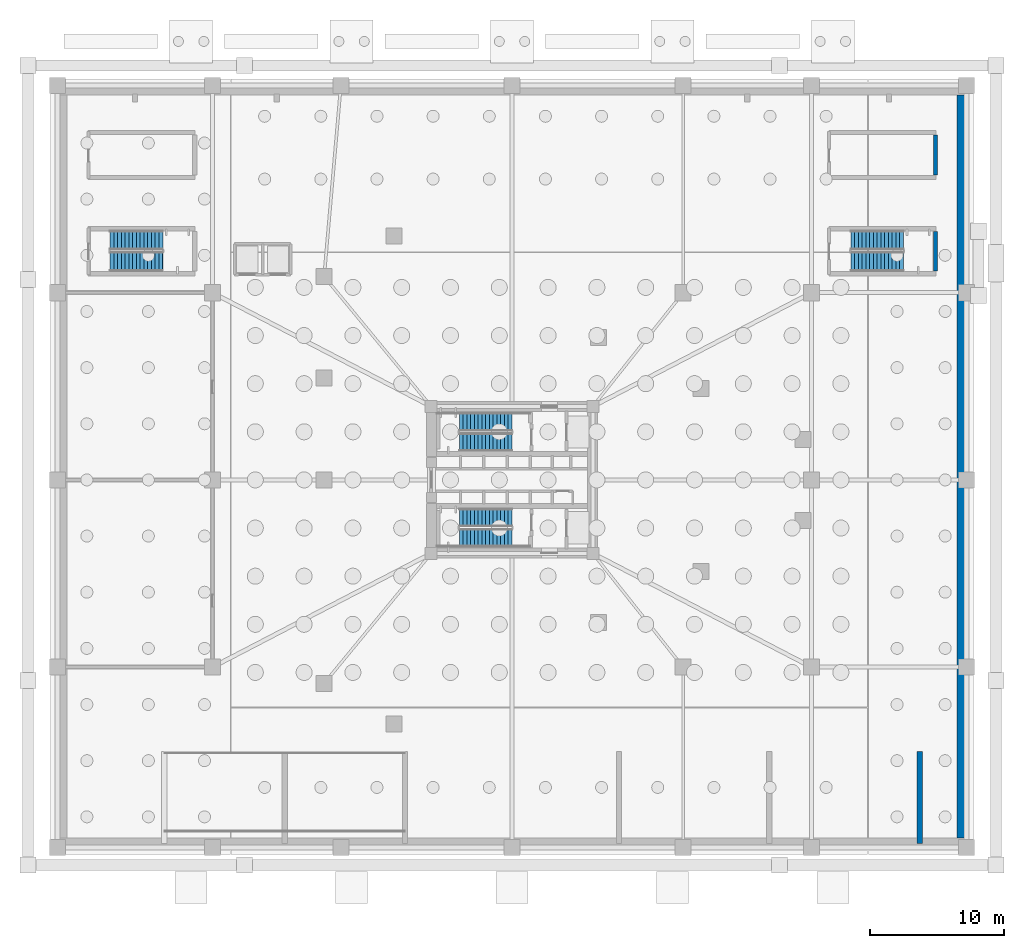
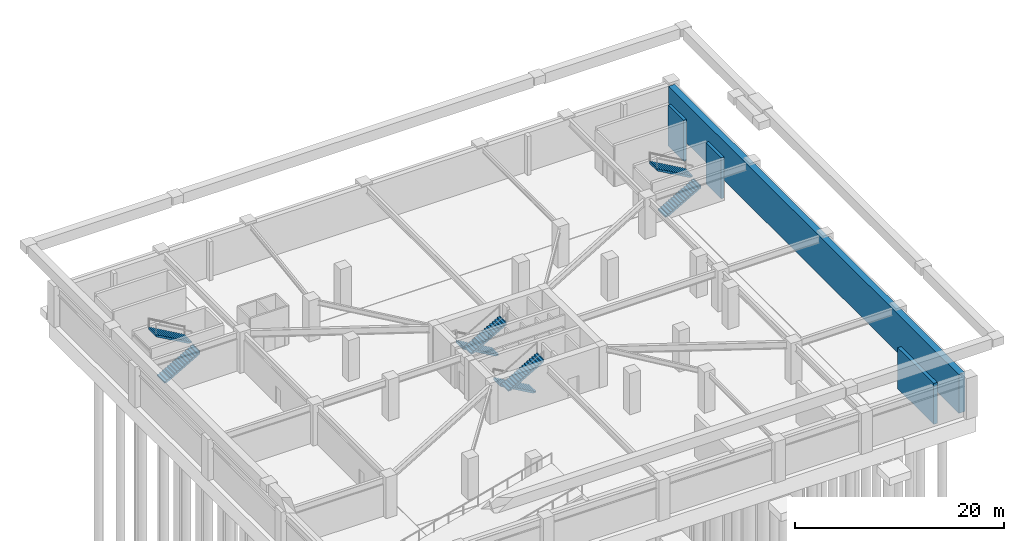
# One storey, part 8 of 14: 8 stair flights, 4 walls, 4 elements without a shape of their own.
"""IFC4 building model written with IfcOpenShell, lengths in metres."""

from ifc_helpers import new_model, si_unit, direction, frame, frame_2d, origin, place, context, subcontext, project, spatial, polyline, rectangle, outline, extrude, material, layer, layer_set, type_object, element, aggregate, save


model = new_model("IFC4")

# Units and contexts
model_context = context("Model", 3, precision=1e-05, world=origin(), true_north=direction((0.0, 1.0)))
body_context = subcontext(model_context, "Body", "Model", "MODEL_VIEW")
ifc_project = project(units=[si_unit("LENGTHUNIT", "METRE"), si_unit("AREAUNIT", "SQUARE_METRE"), si_unit("VOLUMEUNIT", "CUBIC_METRE"), si_unit("PLANEANGLEUNIT", "RADIAN"), si_unit("MASSUNIT", "GRAM", prefix="KILO")], contexts=[model_context])

# Site, building, storey
site_placement = place(None, origin())
site = spatial("IfcSite", under=ifc_project, at=site_placement, CompositionType="ELEMENT")
building_placement = place(site_placement, origin())
building = spatial("IfcBuilding", under=site, at=building_placement, Name="Yunling Apex Tower", CompositionType="ELEMENT")
storey_placement = place(building_placement, frame((0.0, 0.0, -9.60009765625)))
storey = spatial("IfcBuildingStorey", under=building, at=storey_placement, Name="B02", CompositionType="ELEMENT", Elevation=-9.60009765625)

# Walls
ifc_material_1 = material(Name="Concrete C50", Category="concrete")
ifc_layer_1 = layer(ifc_material_1, 0.699951171875)
ifc_layer_set_1 = layer_set([ifc_layer_1], Name="Concrete C50")
wall_type_1 = type_object("IfcWallType", Name="WL-BSM-1", PredefinedType="USERDEFINED", material=ifc_layer_set_1)
wall_1_placement = place(storey_placement, frame((33.64990234375, -26.800048828125, 0.0), z_axis=(0.0, 0.0, 1.0), x_axis=(0.0, 1.0, 0.0)))
element("IfcWall", 1, at=wall_1_placement, inside=storey, type_object=wall_type_1, Name="B02 East Retaining Wall", ObjectType="RETAININGWALL", PredefinedType="USERDEFINED", context=body_context, shape_type="SweptSolid", body=[
    extrude(rectangle(XDim=55.60009765625, YDim=0.699951171875, at=frame_2d((27.800048828125, 0.0))), origin(), (0.0, 0.0, 1.0), 4.5400390625),
])
ifc_layer_2 = layer(ifc_material_1, 0.39990234375)
ifc_layer_set_2 = layer_set([ifc_layer_2], Name="Concrete C50")
wall_type_2 = type_object("IfcWallType", Name="WL-COR-5", PredefinedType="SHEAR", material=ifc_layer_set_2)
wall_2_placement = place(storey_placement, frame((30.5, -27.199951171875, 0.0), z_axis=(0.0, 0.0, 1.0), x_axis=(0.0, 1.0, 0.0)))
element("IfcWall", 2, at=wall_2_placement, inside=storey, type_object=wall_type_2, Name="B02 Vehicle Ramp Bearing Wall EHI", PredefinedType="SHEAR", context=body_context, shape_type="SweptSolid", body=[
    extrude(rectangle(XDim=6.89990234375, YDim=0.39990234375, at=frame_2d((3.449951171875, 0.0))), origin(), (0.0, 0.0, 1.0), 4.800048828125),
])
ifc_material_2 = material(Name="Concrete C40", Category="concrete")
ifc_layer_3 = layer(ifc_material_2, 0.320068359375)
ifc_layer_set_3 = layer_set([ifc_layer_3], Name="Concrete C40")
wall_type_3 = type_object("IfcWallType", Name="WL-COR-7", PredefinedType="SHEAR", material=ifc_layer_set_3)
for number, where, z_axis, x_axis, name in (
    (3, (31.679931640625, 15.6201171875, 0.0), (0.0, 0.0, 1.0), (0.0, 1.0, 0.0), "B02 STP2 Half-Landing Bearing Wall"),
    (4, (31.679931640625, 22.820068359375, 0.0), (0.0, 0.0, 1.0), (0.0, 1.0, 0.0), "B02 STG2 Half-Landing Bearing Wall"),
):
    element("IfcWall", number, at=place(storey_placement, frame(where, z_axis=z_axis, x_axis=x_axis)), inside=storey, type_object=wall_type_3, Name=name, PredefinedType="SHEAR", context=body_context, shape_type="SweptSolid", body=[
        extrude(rectangle(XDim=2.9599609375, YDim=0.320068359375, at=frame_2d((1.47998046875, 0.0))), origin(), (0.0, 0.0, 1.0), 4.800048828125),
    ])

# Stair, stair flights
stair_type_1 = type_object("IfcStairType", Name="ST-POD-1", PredefinedType="HALF_TURN_STAIR", material=ifc_material_2)
stair_1_placement = place(storey_placement, origin())
stair_1 = element("IfcStair", 5, at=stair_1_placement, inside=storey, type_object=stair_type_1, Name="B02 West Podium Smokeproof Stair ST-P1", PredefinedType="HALF_TURN_STAIR")
stair_flight_type_1 = type_object("IfcStairFlightType", Name="SFL-POD-1", PredefinedType="STRAIGHT", material=ifc_material_2)
stair_flight_1_placement = place(storey_placement, frame((-30.050048828125, 16.324951171875, 0.0), z_axis=(0.0, 0.0, 1.0), x_axis=(1.0, 0.0, 0.0)))
stair_flight_1 = element("IfcStairFlight", 6, at=stair_flight_1_placement, type_object=stair_flight_type_1, Name="ST-P1 flight 1", NumberOfRisers=15, NumberOfTreads=14, PredefinedType="STRAIGHT", RiserHeight=0.16, TreadLength=0.28, context=body_context, shape_type="SweptSolid", body=[
    extrude(outline(polyline([(-0.011962890625, 0.0), (-0.011962890625, 0.159912109375), (0.0, 0.159912109375), (0.280029296875, 0.159912109375), (0.280029296875, 0.320068359375), (0.56005859375, 0.320068359375), (0.56005859375, 0.47998046875), (0.840087890625, 0.47998046875), (0.840087890625, 0.639892578125), (1.1201171875, 0.639892578125), (1.1201171875, 0.800048828125), (1.39990234375, 0.800048828125), (1.39990234375, 0.9599609375), (1.679931640625, 0.9599609375), (1.679931640625, 1.1201171875), (1.9599609375, 1.1201171875), (1.9599609375, 1.280029296875), (2.239990234375, 1.280029296875), (2.239990234375, 1.43994140625), (2.52001953125, 1.43994140625), (2.52001953125, 1.60009765625), (2.800048828125, 1.60009765625), (2.800048828125, 1.760009765625), (3.080078125, 1.760009765625), (3.080078125, 1.919921875), (3.360107421875, 1.919921875), (3.360107421875, 2.080078125), (3.639892578125, 2.080078125), (3.639892578125, 2.239990234375), (3.919921875, 2.239990234375), (3.919921875, 2.39990234375), (3.931884765625, 2.39990234375), (3.931884765625, 2.055908203125), (0.322265625, 0.0), (-0.011962890625, 0.0)])), frame((0.0, 0.72509765625, 0.0), z_axis=(0.0, -1.0, 0.0), x_axis=(1.0, 0.0, 0.0)), (0.0, 0.0, 1.0), 1.449951171875),
])
stair_flight_2_placement = place(storey_placement, frame((-26.1298828125, 17.925048828125, 2.400146484375), z_axis=(0.0, 0.0, 1.0), x_axis=(-1.0, 0.0, 0.0)))
stair_flight_2 = element("IfcStairFlight", 7, at=stair_flight_2_placement, type_object=stair_flight_type_1, Name="ST-P1 flight 2", NumberOfRisers=15, NumberOfTreads=14, PredefinedType="STRAIGHT", RiserHeight=0.16, TreadLength=0.28, context=body_context, shape_type="SweptSolid", body=[
    extrude(outline(polyline([(-0.011962890625, 0.0), (-0.011962890625, 0.159912109375), (0.0, 0.159912109375), (0.280029296875, 0.159912109375), (0.280029296875, 0.320068359375), (0.56005859375, 0.320068359375), (0.56005859375, 0.47998046875), (0.840087890625, 0.47998046875), (0.840087890625, 0.639892578125), (1.1201171875, 0.639892578125), (1.1201171875, 0.800048828125), (1.39990234375, 0.800048828125), (1.39990234375, 0.9599609375), (1.679931640625, 0.9599609375), (1.679931640625, 1.1201171875), (1.9599609375, 1.1201171875), (1.9599609375, 1.280029296875), (2.239990234375, 1.280029296875), (2.239990234375, 1.43994140625), (2.52001953125, 1.43994140625), (2.52001953125, 1.60009765625), (2.800048828125, 1.60009765625), (2.800048828125, 1.760009765625), (3.080078125, 1.760009765625), (3.080078125, 1.919921875), (3.360107421875, 1.919921875), (3.360107421875, 2.080078125), (3.639892578125, 2.080078125), (3.639892578125, 2.239990234375), (3.919921875, 2.239990234375), (3.919921875, 2.39990234375), (3.931884765625, 2.39990234375), (3.931884765625, 2.055908203125), (0.322265625, 0.0), (-0.011962890625, 0.0)])), frame((0.0, 0.72509765625, 0.0), z_axis=(0.0, -1.0, 0.0), x_axis=(1.0, 0.0, 0.0)), (0.0, 0.0, 1.0), 1.449951171875),
])
aggregate(stair_1, [stair_flight_1, stair_flight_2])

stair_2_placement = place(storey_placement, origin())
stair_2 = element("IfcStair", 8, at=stair_2_placement, inside=storey, type_object=stair_type_1, Name="B02 East Podium Smokeproof Stair ST-P2", PredefinedType="HALF_TURN_STAIR")
stair_flight_3_placement = place(storey_placement, frame((25.35009765625, 16.324951171875, 0.0), z_axis=(0.0, 0.0, 1.0), x_axis=(1.0, 0.0, 0.0)))
stair_flight_3 = element("IfcStairFlight", 9, at=stair_flight_3_placement, type_object=stair_flight_type_1, Name="ST-P2 flight 1", NumberOfRisers=15, NumberOfTreads=14, PredefinedType="STRAIGHT", RiserHeight=0.16, TreadLength=0.28, context=body_context, shape_type="SweptSolid", body=[
    extrude(outline(polyline([(-0.011962890625, 0.0), (-0.011962890625, 0.159912109375), (0.0, 0.159912109375), (0.280029296875, 0.159912109375), (0.280029296875, 0.320068359375), (0.56005859375, 0.320068359375), (0.56005859375, 0.47998046875), (0.840087890625, 0.47998046875), (0.840087890625, 0.639892578125), (1.1201171875, 0.639892578125), (1.1201171875, 0.800048828125), (1.39990234375, 0.800048828125), (1.39990234375, 0.9599609375), (1.679931640625, 0.9599609375), (1.679931640625, 1.1201171875), (1.9599609375, 1.1201171875), (1.9599609375, 1.280029296875), (2.239990234375, 1.280029296875), (2.239990234375, 1.43994140625), (2.52001953125, 1.43994140625), (2.52001953125, 1.60009765625), (2.800048828125, 1.60009765625), (2.800048828125, 1.760009765625), (3.080078125, 1.760009765625), (3.080078125, 1.919921875), (3.360107421875, 1.919921875), (3.360107421875, 2.080078125), (3.639892578125, 2.080078125), (3.639892578125, 2.239990234375), (3.919921875, 2.239990234375), (3.919921875, 2.39990234375), (3.931884765625, 2.39990234375), (3.931884765625, 2.055908203125), (0.322265625, 0.0), (-0.011962890625, 0.0)])), frame((0.0, 0.72509765625, 0.0), z_axis=(0.0, -1.0, 0.0), x_axis=(1.0, 0.0, 0.0)), (0.0, 0.0, 1.0), 1.449951171875),
])
stair_flight_4_placement = place(storey_placement, frame((29.27001953125, 17.925048828125, 2.400146484375), z_axis=(0.0, 0.0, 1.0), x_axis=(-1.0, 0.0, 0.0)))
stair_flight_4 = element("IfcStairFlight", 10, at=stair_flight_4_placement, type_object=stair_flight_type_1, Name="ST-P2 flight 2", NumberOfRisers=15, NumberOfTreads=14, PredefinedType="STRAIGHT", RiserHeight=0.16, TreadLength=0.28, context=body_context, shape_type="SweptSolid", body=[
    extrude(outline(polyline([(-0.011962890625, 0.0), (-0.011962890625, 0.159912109375), (0.0, 0.159912109375), (0.280029296875, 0.159912109375), (0.280029296875, 0.320068359375), (0.56005859375, 0.320068359375), (0.56005859375, 0.47998046875), (0.840087890625, 0.47998046875), (0.840087890625, 0.639892578125), (1.1201171875, 0.639892578125), (1.1201171875, 0.800048828125), (1.39990234375, 0.800048828125), (1.39990234375, 0.9599609375), (1.679931640625, 0.9599609375), (1.679931640625, 1.1201171875), (1.9599609375, 1.1201171875), (1.9599609375, 1.280029296875), (2.239990234375, 1.280029296875), (2.239990234375, 1.43994140625), (2.52001953125, 1.43994140625), (2.52001953125, 1.60009765625), (2.800048828125, 1.60009765625), (2.800048828125, 1.760009765625), (3.080078125, 1.760009765625), (3.080078125, 1.919921875), (3.360107421875, 1.919921875), (3.360107421875, 2.080078125), (3.639892578125, 2.080078125), (3.639892578125, 2.239990234375), (3.919921875, 2.239990234375), (3.919921875, 2.39990234375), (3.931884765625, 2.39990234375), (3.931884765625, 2.055908203125), (0.322265625, 0.0), (-0.011962890625, 0.0)])), frame((0.0, 0.72509765625, 0.0), z_axis=(0.0, -1.0, 0.0), x_axis=(1.0, 0.0, 0.0)), (0.0, 0.0, 1.0), 1.449951171875),
])
aggregate(stair_2, [stair_flight_3, stair_flight_4])

stair_type_2 = type_object("IfcStairType", Name="ST-TWR-1", PredefinedType="HALF_TURN_STAIR", material=ifc_material_2)
stair_3_placement = place(storey_placement, origin())
stair_3 = element("IfcStair", 11, at=stair_3_placement, inside=storey, type_object=stair_type_2, Name="B02 North Core Smokeproof Exit Stair ST-1", PredefinedType="HALF_TURN_STAIR")
stair_flight_type_2 = type_object("IfcStairFlightType", Name="SFL-TWR-1", PredefinedType="STRAIGHT", material=ifc_material_2)
stair_flight_5_placement = place(storey_placement, frame((-0.010009765625, 4.330078125, 0.0), z_axis=(0.0, 0.0, 1.0), x_axis=(-1.0, 0.0, 0.0)))
stair_flight_5 = element("IfcStairFlight", 12, at=stair_flight_5_placement, type_object=stair_flight_type_2, Name="ST-1 flight 1", NumberOfRisers=15, NumberOfTreads=14, PredefinedType="STRAIGHT", RiserHeight=0.16, TreadLength=0.28, context=body_context, shape_type="SweptSolid", body=[
    extrude(outline(polyline([(-0.011962890625, 0.0), (-0.011962890625, 0.159912109375), (0.0, 0.159912109375), (0.280029296875, 0.159912109375), (0.280029296875, 0.320068359375), (0.56005859375, 0.320068359375), (0.56005859375, 0.47998046875), (0.840087890625, 0.47998046875), (0.840087890625, 0.639892578125), (1.1201171875, 0.639892578125), (1.1201171875, 0.800048828125), (1.39990234375, 0.800048828125), (1.39990234375, 0.9599609375), (1.679931640625, 0.9599609375), (1.679931640625, 1.1201171875), (1.9599609375, 1.1201171875), (1.9599609375, 1.280029296875), (2.239990234375, 1.280029296875), (2.239990234375, 1.43994140625), (2.52001953125, 1.43994140625), (2.52001953125, 1.60009765625), (2.800048828125, 1.60009765625), (2.800048828125, 1.760009765625), (3.080078125, 1.760009765625), (3.080078125, 1.919921875), (3.360107421875, 1.919921875), (3.360107421875, 2.080078125), (3.639892578125, 2.080078125), (3.639892578125, 2.239990234375), (3.919921875, 2.239990234375), (3.919921875, 2.39990234375), (3.931884765625, 2.39990234375), (3.931884765625, 2.055908203125), (0.322265625, 0.0), (-0.011962890625, 0.0)])), frame((0.0, 0.68017578125, 0.0), z_axis=(0.0, -1.0, 0.0), x_axis=(1.0, 0.0, 0.0)), (0.0, 0.0, 1.0), 1.360107421875),
])
stair_flight_6_placement = place(storey_placement, frame((-3.929931640625, 2.820068359375, 2.400146484375), z_axis=(0.0, 0.0, 1.0), x_axis=(1.0, 0.0, 0.0)))
stair_flight_6 = element("IfcStairFlight", 13, at=stair_flight_6_placement, type_object=stair_flight_type_2, Name="ST-1 flight 2", NumberOfRisers=15, NumberOfTreads=14, PredefinedType="STRAIGHT", RiserHeight=0.16, TreadLength=0.28, context=body_context, shape_type="SweptSolid", body=[
    extrude(outline(polyline([(-0.011962890625, 0.0), (-0.011962890625, 0.159912109375), (0.0, 0.159912109375), (0.280029296875, 0.159912109375), (0.280029296875, 0.320068359375), (0.56005859375, 0.320068359375), (0.56005859375, 0.47998046875), (0.840087890625, 0.47998046875), (0.840087890625, 0.639892578125), (1.1201171875, 0.639892578125), (1.1201171875, 0.800048828125), (1.39990234375, 0.800048828125), (1.39990234375, 0.9599609375), (1.679931640625, 0.9599609375), (1.679931640625, 1.1201171875), (1.9599609375, 1.1201171875), (1.9599609375, 1.280029296875), (2.239990234375, 1.280029296875), (2.239990234375, 1.43994140625), (2.52001953125, 1.43994140625), (2.52001953125, 1.60009765625), (2.800048828125, 1.60009765625), (2.800048828125, 1.760009765625), (3.080078125, 1.760009765625), (3.080078125, 1.919921875), (3.360107421875, 1.919921875), (3.360107421875, 2.080078125), (3.639892578125, 2.080078125), (3.639892578125, 2.239990234375), (3.919921875, 2.239990234375), (3.919921875, 2.39990234375), (3.931884765625, 2.39990234375), (3.931884765625, 2.055908203125), (0.322265625, 0.0), (-0.011962890625, 0.0)])), frame((0.0, 0.68017578125, 0.0), z_axis=(0.0, -1.0, 0.0), x_axis=(1.0, 0.0, 0.0)), (0.0, 0.0, 1.0), 1.360107421875),
])
aggregate(stair_3, [stair_flight_5, stair_flight_6])

stair_4_placement = place(storey_placement, origin())
stair_4 = element("IfcStair", 14, at=stair_4_placement, inside=storey, type_object=stair_type_2, Name="B02 South Core Smokeproof Exit Stair ST-2", PredefinedType="HALF_TURN_STAIR")
stair_flight_7_placement = place(storey_placement, frame((-0.010009765625, -2.820068359375, 0.0), z_axis=(0.0, 0.0, 1.0), x_axis=(-1.0, 0.0, 0.0)))
stair_flight_7 = element("IfcStairFlight", 15, at=stair_flight_7_placement, type_object=stair_flight_type_2, Name="ST-2 flight 1", NumberOfRisers=15, NumberOfTreads=14, PredefinedType="STRAIGHT", RiserHeight=0.16, TreadLength=0.28, context=body_context, shape_type="SweptSolid", body=[
    extrude(outline(polyline([(-0.011962890625, 0.0), (-0.011962890625, 0.159912109375), (0.0, 0.159912109375), (0.280029296875, 0.159912109375), (0.280029296875, 0.320068359375), (0.56005859375, 0.320068359375), (0.56005859375, 0.47998046875), (0.840087890625, 0.47998046875), (0.840087890625, 0.639892578125), (1.1201171875, 0.639892578125), (1.1201171875, 0.800048828125), (1.39990234375, 0.800048828125), (1.39990234375, 0.9599609375), (1.679931640625, 0.9599609375), (1.679931640625, 1.1201171875), (1.9599609375, 1.1201171875), (1.9599609375, 1.280029296875), (2.239990234375, 1.280029296875), (2.239990234375, 1.43994140625), (2.52001953125, 1.43994140625), (2.52001953125, 1.60009765625), (2.800048828125, 1.60009765625), (2.800048828125, 1.760009765625), (3.080078125, 1.760009765625), (3.080078125, 1.919921875), (3.360107421875, 1.919921875), (3.360107421875, 2.080078125), (3.639892578125, 2.080078125), (3.639892578125, 2.239990234375), (3.919921875, 2.239990234375), (3.919921875, 2.39990234375), (3.931884765625, 2.39990234375), (3.931884765625, 2.055908203125), (0.322265625, 0.0), (-0.011962890625, 0.0)])), frame((0.0, 0.68017578125, 0.0), z_axis=(0.0, -1.0, 0.0), x_axis=(1.0, 0.0, 0.0)), (0.0, 0.0, 1.0), 1.360107421875),
])
stair_flight_8_placement = place(storey_placement, frame((-3.929931640625, -4.330078125, 2.400146484375), z_axis=(0.0, 0.0, 1.0), x_axis=(1.0, 0.0, 0.0)))
stair_flight_8 = element("IfcStairFlight", 16, at=stair_flight_8_placement, type_object=stair_flight_type_2, Name="ST-2 flight 2", NumberOfRisers=15, NumberOfTreads=14, PredefinedType="STRAIGHT", RiserHeight=0.16, TreadLength=0.28, context=body_context, shape_type="SweptSolid", body=[
    extrude(outline(polyline([(-0.011962890625, 0.0), (-0.011962890625, 0.159912109375), (0.0, 0.159912109375), (0.280029296875, 0.159912109375), (0.280029296875, 0.320068359375), (0.56005859375, 0.320068359375), (0.56005859375, 0.47998046875), (0.840087890625, 0.47998046875), (0.840087890625, 0.639892578125), (1.1201171875, 0.639892578125), (1.1201171875, 0.800048828125), (1.39990234375, 0.800048828125), (1.39990234375, 0.9599609375), (1.679931640625, 0.9599609375), (1.679931640625, 1.1201171875), (1.9599609375, 1.1201171875), (1.9599609375, 1.280029296875), (2.239990234375, 1.280029296875), (2.239990234375, 1.43994140625), (2.52001953125, 1.43994140625), (2.52001953125, 1.60009765625), (2.800048828125, 1.60009765625), (2.800048828125, 1.760009765625), (3.080078125, 1.760009765625), (3.080078125, 1.919921875), (3.360107421875, 1.919921875), (3.360107421875, 2.080078125), (3.639892578125, 2.080078125), (3.639892578125, 2.239990234375), (3.919921875, 2.239990234375), (3.919921875, 2.39990234375), (3.931884765625, 2.39990234375), (3.931884765625, 2.055908203125), (0.322265625, 0.0), (-0.011962890625, 0.0)])), frame((0.0, 0.68017578125, 0.0), z_axis=(0.0, -1.0, 0.0), x_axis=(1.0, 0.0, 0.0)), (0.0, 0.0, 1.0), 1.360107421875),
])
aggregate(stair_4, [stair_flight_7, stair_flight_8])

save(model, "model.ifc")
